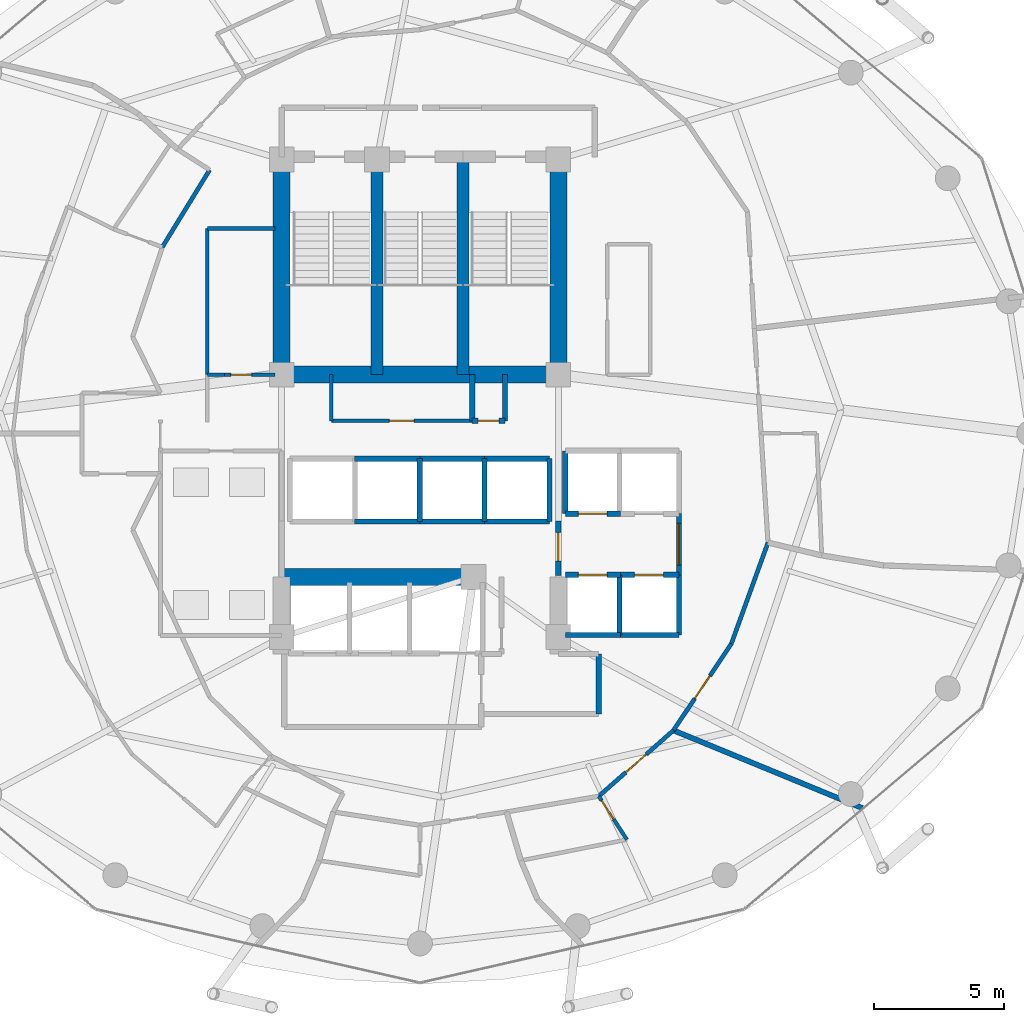
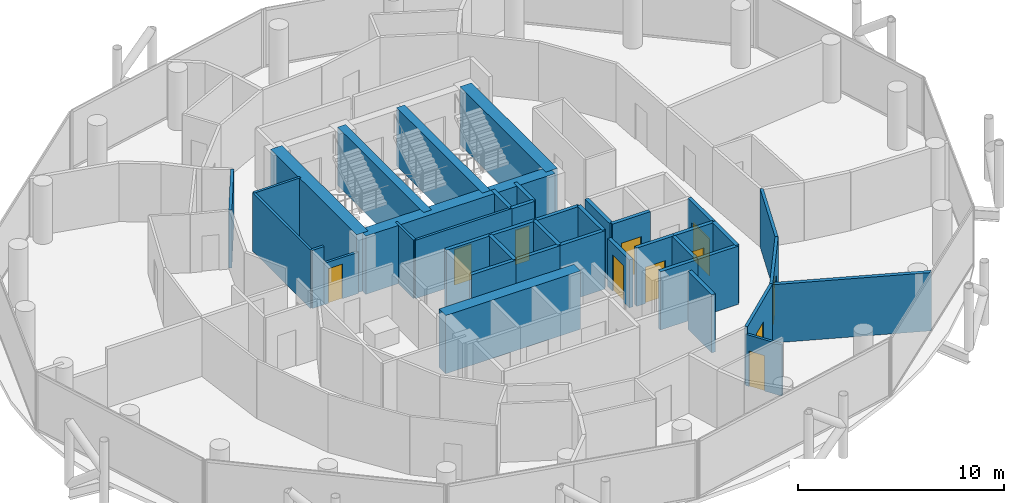
# One storey, part 23 of 26: 41 walls, 11 doors, 11 openings.
"""IFC4 building model written with IfcOpenShell, lengths in metres."""

from ifc_helpers import new_model, si_unit, direction, frame, frame_2d, origin, place, context, subcontext, project, spatial, rectangle, extrude, material, layer, layer_set, type_object, element, fill, save


model = new_model("IFC4")

# Units and contexts
model_context = context("Model", 3, precision=1e-05, world=origin(), true_north=direction((0.0, 1.0)))
body_context = subcontext(model_context, "Body", "Model", "MODEL_VIEW")
ifc_project = project(units=[si_unit("LENGTHUNIT", "METRE"), si_unit("AREAUNIT", "SQUARE_METRE"), si_unit("VOLUMEUNIT", "CUBIC_METRE"), si_unit("PLANEANGLEUNIT", "RADIAN"), si_unit("MASSUNIT", "GRAM", prefix="KILO")], contexts=[model_context])

# Site, building, storey
site_placement = place(None, origin())
site = spatial("IfcSite", under=ifc_project, at=site_placement, CompositionType="ELEMENT")
building_placement = place(site_placement, origin())
building = spatial("IfcBuilding", under=site, at=building_placement, Name="Nuhasar Tower", CompositionType="ELEMENT")
storey_placement = place(building_placement, frame((0.0, 0.0, 118.25)))
storey = spatial("IfcBuildingStorey", under=building, at=storey_placement, Name="L27", CompositionType="ELEMENT", Elevation=118.25)

# Walls
ifc_material_1 = material(Name="Concrete C50/60", Category="concrete")
ifc_layer_1 = layer(ifc_material_1, 0.449951171875)
ifc_layer_set_1 = layer_set([ifc_layer_1], Name="Concrete C50/60")
wall_type_1 = type_object("IfcWallType", Name="WL-CORE-450", PredefinedType="SHEAR", material=ifc_layer_set_1)
for number, where, z_axis, x_axis, name in (
    (1, (37.35009765625, 29.050048828125, 0.0), (0.0, 0.0, 1.0), (0.0, 1.0, 0.0), "L27 Stairwell Shear Wall ST01-E"),
    (2, (40.64990234375, 29.050048828125, 0.0), (0.0, 0.0, 1.0), (0.0, 1.0, 0.0), "L27 Stairwell Shear Wall ST03-E"),
):
    element("IfcWall", number, at=place(storey_placement, frame(where, z_axis=z_axis, x_axis=x_axis)), inside=storey, type_object=wall_type_1, Name=name, PredefinedType="SHEAR", context=body_context, shape_type="SweptSolid", body=[
        extrude(rectangle(XDim=8.349853515625, YDim=0.449951171875, at=frame_2d((4.1748046875, 0.0))), origin(), (0.0, 0.0, 1.0), 3.449951171875),
    ])
ifc_material_2 = material(Name="Concrete C65/80", Category="concrete")
ifc_layer_2 = layer(ifc_material_2, 0.64990234375)
ifc_layer_set_2 = layer_set([ifc_layer_2], Name="Concrete C65/80")
wall_type_2 = type_object("IfcWallType", Name="WL-CORE-650", PredefinedType="SHEAR", material=ifc_layer_set_2)
for number, where, z_axis, x_axis, name in (
    (3, (33.699951171875, 29.050048828125, 0.0), (0.0, 0.0, 1.0), (0.0, 1.0, 0.0), "L27 Core Shear Wall CW-NW CW-650"),
    (4, (44.300048828125, 29.050048828125, 0.0), (0.0, 0.0, 1.0), (0.0, 1.0, 0.0), "L27 Core Shear Wall CW-NE CW-650"),
):
    element("IfcWall", number, at=place(storey_placement, frame(where, z_axis=z_axis, x_axis=x_axis)), inside=storey, type_object=wall_type_2, Name=name, PredefinedType="SHEAR", context=body_context, shape_type="SweptSolid", body=[
        extrude(rectangle(XDim=8.349853515625, YDim=0.64990234375, at=frame_2d((4.1748046875, 0.0))), origin(), (0.0, 0.0, 1.0), 3.449951171875),
    ])
wall_1_placement = place(storey_placement, frame((33.699951171875, 29.050048828125, 0.0), z_axis=(0.0, 0.0, 1.0), x_axis=(1.0, 0.0, 0.0)))
element("IfcWall", 5, at=wall_1_placement, inside=storey, type_object=wall_type_2, Name="L27 Core Shear Wall CW-N1 CW-650", PredefinedType="SHEAR", context=body_context, shape_type="SweptSolid", body=[
    extrude(rectangle(XDim=10.60009765625, YDim=0.64990234375, at=frame_2d((5.300048828125, 0.0))), origin(), (0.0, 0.0, 1.0), 3.449951171875),
])
wall_2_placement = place(storey_placement, frame((33.699951171875, 21.300048828125, 0.0), z_axis=(0.0, 0.0, 1.0), x_axis=(1.0, 0.0, 0.0)))
element("IfcWall", 6, at=wall_2_placement, inside=storey, type_object=wall_type_2, Name="L27 Core Shear Wall CW-S1 CW-650", PredefinedType="SHEAR", context=body_context, shape_type="SweptSolid", body=[
    extrude(rectangle(XDim=7.550048828125, YDim=0.64990234375, at=frame_2d((3.77490234375, 0.0))), origin(), (0.0, 0.0, 1.0), 3.449951171875),
])

# Wall, opening, door
ifc_material_3 = material(Name="Gypsum Board", Category="gypsum")
ifc_layer_3 = layer(ifc_material_3, 0.159912109375)
ifc_layer_set_3 = layer_set([ifc_layer_3], Name="Gypsum Board")
wall_type_3 = type_object("IfcWallType", Name="WL-CORR-160", PredefinedType="PARTITIONING", material=ifc_layer_set_3)
wall_3_placement = place(storey_placement, frame((48.714111328125, 15.41796875, 0.0), z_axis=(0.0, 0.0, 1.0), x_axis=(-0.75014962781, -0.661268127083, 0.0)))
wall_3 = element("IfcWall", 7, at=wall_3_placement, inside=storey, type_object=wall_type_3, Name="L27 Interior Partition CORR-40", PredefinedType="PARTITIONING", context=body_context, shape_type="SweptSolid", body=[
    extrude(rectangle(XDim=3.8154296875, YDim=0.159912109375, at=frame_2d((1.90771484375, 0.0))), origin(), (0.0, 0.0, 1.0), 3.449951171875),
])
opening_1_placement = place(wall_3_placement, frame((1.383056640625, 0.0, 0.0)))
opening_1 = element("IfcOpeningElement", 8, at=opening_1_placement, cuts=wall_3, Name="Opening DU-01", PredefinedType="OPENING", context=body_context, shape_type="SweptSolid", body=[
    extrude(rectangle(XDim=1.050048828125, YDim=2.14990234375, at=frame_2d((0.52490234375, 1.074951171875))), frame((0.0, 0.08984375, 0.0), z_axis=(0.0, -1.0, 0.0), x_axis=(1.0, 0.0, 0.0)), (0.0, 0.0, 1.0), 0.179931640625),
])
ifc_material_4 = material(Name="Timber Oak", Category="wood")
door_type_1 = type_object("IfcDoorType", Name="DR-SUITE-FD60-1050", OperationType="NOTDEFINED", PredefinedType="DOOR", material=ifc_material_4)
door_1_placement = place(opening_1_placement, origin())
door_1 = element("IfcDoor", 9, at=door_1_placement, inside=storey, type_object=door_type_1, Name="L27 Deluxe Junior Suite 02 Entrance Door", OperationType="SINGLE_SWING_LEFT", OverallHeight=2.14990234375, OverallWidth=1.050048828125, PredefinedType="DOOR", context=body_context, shape_type="SweptSolid", body=[
    extrude(rectangle(XDim=1.050048828125, YDim=2.14990234375, at=frame_2d((0.52490234375, 1.074951171875))), frame((0.0, 0.02490234375, 0.0), z_axis=(0.0, -1.0, 0.0), x_axis=(1.0, 0.0, 0.0)), (0.0, 0.0, 1.0), 0.050048828125),
])
fill(opening_1, door_1)

wall_4_placement = place(storey_placement, frame((50.929931640625, 18.72998046875, 0.0), z_axis=(0.0, 0.0, 1.0), x_axis=(-0.556056751682, -0.831144324958, 0.0)))
wall_4 = element("IfcWall", 10, at=wall_4_placement, inside=storey, type_object=wall_type_3, Name="L27 Interior Partition CORR-42", PredefinedType="PARTITIONING", context=body_context, shape_type="SweptSolid", body=[
    extrude(rectangle(XDim=3.98486328125, YDim=0.159912109375, at=frame_2d((1.992431640625, 0.0))), origin(), (0.0, 0.0, 1.0), 3.449951171875),
])
opening_2_placement = place(wall_4_placement, frame((1.467041015625, 0.0, 0.0)))
opening_2 = element("IfcOpeningElement", 11, at=opening_2_placement, cuts=wall_4, Name="Opening DU-01", PredefinedType="OPENING", context=body_context, shape_type="SweptSolid", body=[
    extrude(rectangle(XDim=1.050048828125, YDim=2.14990234375, at=frame_2d((0.52490234375, 1.074951171875))), frame((0.0, 0.08984375, 0.0), z_axis=(0.0, -1.0, 0.0), x_axis=(1.0, 0.0, 0.0)), (0.0, 0.0, 1.0), 0.179931640625),
])
door_2_placement = place(opening_2_placement, origin())
door_2 = element("IfcDoor", 12, at=door_2_placement, inside=storey, type_object=door_type_1, Name="L27 Concierge Study Office Entrance Door", OperationType="SINGLE_SWING_RIGHT", OverallHeight=2.14990234375, OverallWidth=1.050048828125, PredefinedType="DOOR", context=body_context, shape_type="SweptSolid", body=[
    extrude(rectangle(XDim=1.050048828125, YDim=2.14990234375, at=frame_2d((0.52490234375, 1.074951171875))), frame((0.0, 0.02490234375, 0.0), z_axis=(0.0, -1.0, 0.0), x_axis=(1.0, 0.0, 0.0)), (0.0, 0.0, 1.0), 0.050048828125),
])
fill(opening_2, door_2)

# Walls
wall_5_placement = place(storey_placement, frame((50.929931640625, 18.72998046875, 0.0), z_axis=(0.0, 0.0, 1.0), x_axis=(0.34058972089, 0.940212019719, 0.0)))
element("IfcWall", 13, at=wall_5_placement, inside=storey, type_object=wall_type_3, Name="L27 Interior Partition CORR-44", PredefinedType="PARTITIONING", context=body_context, shape_type="SweptSolid", body=[
    extrude(rectangle(XDim=4.131103515625, YDim=0.159912109375, at=frame_2d((2.0654296875, 0.0))), origin(), (0.0, 0.0, 1.0), 3.449951171875),
])
wall_6_placement = place(storey_placement, frame((30.93896484375, 36.89697265625, 0.0), z_axis=(0.0, 0.0, 1.0), x_axis=(-0.522486120877, -0.852647789823, 0.0)))
element("IfcWall", 14, at=wall_6_placement, inside=storey, type_object=wall_type_3, Name="L27 Interior Partition HWEST-CORE-N-18", PredefinedType="PARTITIONING", context=body_context, shape_type="SweptSolid", body=[
    extrude(rectangle(XDim=3.468017578125, YDim=0.159912109375, at=frame_2d((1.73388671875, 0.0))), origin(), (0.0, 0.0, 1.0), 3.449951171875),
])

# Wall, opening, door
ifc_material_5 = material(Name="Concrete C45/55", Category="concrete")
ifc_layer_4 = layer(ifc_material_5, 0.199951171875)
ifc_layer_set_4 = layer_set([ifc_layer_4], Name="Concrete C45/55")
wall_type_4 = type_object("IfcWallType", Name="WL-LOBBY-200", PredefinedType="SOLIDWALL", material=ifc_layer_set_4)
wall_7_placement = place(storey_placement, frame((48.929931640625, 21.3798828125, 0.0), z_axis=(0.0, 0.0, 1.0), x_axis=(0.0, 1.0, 0.0)))
wall_7 = element("IfcWall", 15, at=wall_7_placement, inside=storey, type_object=wall_type_4, Name="L27 Interior Partition LLBM-E", PredefinedType="SOLIDWALL", context=body_context, shape_type="SweptSolid", body=[
    extrude(rectangle(XDim=2.340087890625, YDim=0.199951171875, at=frame_2d((1.169921875, 0.0))), origin(), (0.0, 0.0, 1.0), 3.449951171875),
])
opening_3_placement = place(wall_7_placement, frame((0.3701171875, 0.0, 0.0)))
opening_3 = element("IfcOpeningElement", 16, at=opening_3_placement, cuts=wall_7, Name="Opening DC-01", PredefinedType="OPENING", context=body_context, shape_type="SweptSolid", body=[
    extrude(rectangle(XDim=1.60009765625, YDim=2.199951171875, at=frame_2d((0.800048828125, 1.10009765625))), frame((0.0, 0.10986328125, 0.0), z_axis=(0.0, -1.0, 0.0), x_axis=(1.0, 0.0, 0.0)), (0.0, 0.0, 1.0), 0.219970703125),
])
ifc_material_6 = material(Name="Steel S355", Category="steel")
door_type_2 = type_object("IfcDoorType", Name="DR-CORR-FD60-1600", OperationType="DOUBLE_DOOR_SINGLE_SWING", PredefinedType="DOOR", material=ifc_material_6)
door_3_placement = place(opening_3_placement, origin())
door_3 = element("IfcDoor", 17, at=door_3_placement, inside=storey, type_object=door_type_2, Name="L27 Mid-Rise Lift Lobby East Entry", OperationType="DOUBLE_DOOR_SINGLE_SWING", OverallHeight=2.199951171875, OverallWidth=1.60009765625, PredefinedType="DOOR", context=body_context, shape_type="SweptSolid", body=[
    extrude(rectangle(XDim=1.60009765625, YDim=2.199951171875, at=frame_2d((0.800048828125, 1.10009765625))), frame((0.0, 0.02490234375, 0.0), z_axis=(0.0, -1.0, 0.0), x_axis=(1.0, 0.0, 0.0)), (0.0, 0.0, 1.0), 0.050048828125),
])
fill(opening_3, door_3)

wall_8_placement = place(storey_placement, frame((44.300048828125, 21.35009765625, 0.0), z_axis=(0.0, 0.0, 1.0), x_axis=(0.0, 1.0, 0.0)))
wall_8 = element("IfcWall", 18, at=wall_8_placement, inside=storey, type_object=wall_type_4, Name="L27 Interior Partition LLBH-E", PredefinedType="SOLIDWALL", context=body_context, shape_type="SweptSolid", body=[
    extrude(rectangle(XDim=2.099853515625, YDim=0.199951171875, at=frame_2d((1.0498046875, 0.0))), origin(), (0.0, 0.0, 1.0), 2.8349609375),
])
opening_4_placement = place(wall_8_placement, frame((0.550048828125, 0.0, 0.0)))
opening_4 = element("IfcOpeningElement", 19, at=opening_4_placement, cuts=wall_8, Name="Opening DS-02", PredefinedType="OPENING", context=body_context, shape_type="SweptSolid", body=[
    extrude(rectangle(XDim=1.10009765625, YDim=2.14990234375, at=frame_2d((0.550048828125, 1.074951171875))), frame((0.0, 0.10986328125, 0.0), z_axis=(0.0, -1.0, 0.0), x_axis=(1.0, 0.0, 0.0)), (0.0, 0.0, 1.0), 0.219970703125),
])
door_type_3 = type_object("IfcDoorType", Name="DR-FFL-FD120-1100", OperationType="NOTDEFINED", PredefinedType="DOOR", material=ifc_material_6)
door_4_placement = place(opening_4_placement, origin())
door_4 = element("IfcDoor", 20, at=door_4_placement, inside=storey, type_object=door_type_3, Name="L27 High-Rise Lobby East Door", OperationType="SINGLE_SWING_RIGHT", OverallHeight=2.14990234375, OverallWidth=1.10009765625, PredefinedType="DOOR", context=body_context, shape_type="SweptSolid", body=[
    extrude(rectangle(XDim=1.10009765625, YDim=2.14990234375, at=frame_2d((0.550048828125, 1.074951171875))), frame((0.0, 0.02490234375, 0.0), z_axis=(0.0, -1.0, 0.0), x_axis=(1.0, 0.0, 0.0)), (0.0, 0.0, 1.0), 0.050048828125),
])
fill(opening_4, door_4)

# Walls
wall_9_placement = place(storey_placement, frame((45.85009765625, 16.050048828125, 0.0), z_axis=(0.0, 0.0, 1.0), x_axis=(0.0, 1.0, 0.0)))
element("IfcWall", 21, at=wall_9_placement, inside=storey, type_object=wall_type_4, Name="L27 Interior Partition SVLV-E", PredefinedType="SOLIDWALL", context=body_context, shape_type="SweptSolid", body=[
    extrude(rectangle(XDim=2.300048828125, YDim=0.199951171875, at=frame_2d((1.14990234375, 0.0))), origin(), (0.0, 0.0, 1.0), 3.449951171875),
])
ifc_layer_5 = layer(ifc_material_5, 0.199951171875)
ifc_layer_set_5 = layer_set([ifc_layer_5], Name="Concrete C45/55")
wall_type_5 = type_object("IfcWallType", Name="WL-SHAFT-200", PredefinedType="SOLIDWALL", material=ifc_layer_set_5)
for number, where, z_axis, x_axis, name in (
    (22, (41.0, 27.280029296875, 0.0), (0.0, 0.0, 1.0), (0.0, 1.0, 0.0), "L27 Interior Partition RSRN-W"),
    (23, (42.260009765625, 27.280029296875, 0.0), (0.0, 0.0, 1.0), (0.0, 1.0, 0.0), "L27 Interior Partition RSRN-E"),
):
    element("IfcWall", number, at=place(storey_placement, frame(where, z_axis=z_axis, x_axis=x_axis)), inside=storey, type_object=wall_type_5, Name=name, PredefinedType="SOLIDWALL", context=body_context, shape_type="SweptSolid", body=[
        extrude(rectangle(XDim=1.77001953125, YDim=0.199951171875, at=frame_2d((0.885009765625, 0.0))), origin(), (0.0, 0.0, 1.0), 3.449951171875),
    ])

# Wall, opening, door
wall_10_placement = place(storey_placement, frame((41.0, 27.280029296875, 0.0), z_axis=(0.0, 0.0, 1.0), x_axis=(1.0, 0.0, 0.0)))
wall_10 = element("IfcWall", 24, at=wall_10_placement, inside=storey, type_object=wall_type_5, Name="L27 Interior Partition RSRN-S", PredefinedType="SOLIDWALL", context=body_context, shape_type="SweptSolid", body=[
    extrude(rectangle(XDim=1.260009765625, YDim=0.199951171875, at=frame_2d((0.6298828125, 0.0))), origin(), (0.0, 0.0, 1.0), 3.449951171875),
])
opening_5_placement = place(wall_10_placement, frame((0.22998046875, 0.0, 0.0)))
opening_5 = element("IfcOpeningElement", 25, at=opening_5_placement, cuts=wall_10, Name="Opening DM-01", PredefinedType="OPENING", context=body_context, shape_type="SweptSolid", body=[
    extrude(rectangle(XDim=0.800048828125, YDim=2.050048828125, at=frame_2d((0.39990234375, 1.02490234375))), frame((0.0, 0.10986328125, 0.0), z_axis=(0.0, -1.0, 0.0), x_axis=(1.0, 0.0, 0.0)), (0.0, 0.0, 1.0), 0.219970703125),
])
door_type_4 = type_object("IfcDoorType", Name="DR-RISER-FD60-800", OperationType="NOTDEFINED", PredefinedType="DOOR", material=ifc_material_6)
door_5_placement = place(opening_5_placement, origin())
door_5 = element("IfcDoor", 26, at=door_5_placement, inside=storey, type_object=door_type_4, Name="L27 North Smoke Riser Door", OperationType="SINGLE_SWING_RIGHT", OverallHeight=2.050048828125, OverallWidth=0.800048828125, PredefinedType="DOOR", context=body_context, shape_type="SweptSolid", body=[
    extrude(rectangle(XDim=0.800048828125, YDim=2.050048828125, at=frame_2d((0.39990234375, 1.02490234375))), frame((0.0, 0.02490234375, 0.0), z_axis=(0.0, -1.0, 0.0), x_axis=(1.0, 0.0, 0.0)), (0.0, 0.0, 1.0), 0.050048828125),
])
fill(opening_5, door_5)

wall_11_placement = place(storey_placement, frame((44.570068359375, 23.719970703125, 0.0), z_axis=(0.0, 0.0, 1.0), x_axis=(1.0, 0.0, 0.0)))
wall_11 = element("IfcWall", 27, at=wall_11_placement, inside=storey, type_object=wall_type_5, Name="L27 Interior Partition SHF-PL-M01-S", PredefinedType="SOLIDWALL", context=body_context, shape_type="SweptSolid", body=[
    extrude(rectangle(XDim=2.10986328125, YDim=0.199951171875, at=frame_2d((1.054931640625, 0.0))), origin(), (0.0, 0.0, 1.0), 3.449951171875),
])
opening_6_placement = place(wall_11_placement, frame((0.5048828125, 0.0, 0.0)))
opening_6 = element("IfcOpeningElement", 28, at=opening_6_placement, cuts=wall_11, Name="Opening LD-M01", PredefinedType="OPENING", context=body_context, shape_type="SweptSolid", body=[
    extrude(rectangle(XDim=1.10009765625, YDim=2.14990234375, at=frame_2d((0.550048828125, 1.074951171875))), frame((0.0, 0.10986328125, 0.0), z_axis=(0.0, -1.0, 0.0), x_axis=(1.0, 0.0, 0.0)), (0.0, 0.0, 1.0), 0.219970703125),
])
ifc_material_7 = material(Name="Stainless Steel 316L", Category="steel")
door_type_5 = type_object("IfcDoorType", Name="LD-PAX-1100", OperationType="DOUBLE_DOOR_SLIDING", PredefinedType="DOOR", material=ifc_material_7)
door_6_placement = place(opening_6_placement, origin())
door_6 = element("IfcDoor", 29, at=door_6_placement, inside=storey, type_object=door_type_5, Name="L27 Lift Landing Door PL-M01", OperationType="DOUBLE_DOOR_SLIDING", OverallHeight=2.14990234375, OverallWidth=1.10009765625, PredefinedType="DOOR", context=body_context, shape_type="SweptSolid", body=[
    extrude(rectangle(XDim=1.10009765625, YDim=2.14990234375, at=frame_2d((0.550048828125, 1.074951171875))), frame((0.0, 0.02490234375, 0.0), z_axis=(0.0, -1.0, 0.0), x_axis=(1.0, 0.0, 0.0)), (0.0, 0.0, 1.0), 0.050048828125),
])
fill(opening_6, door_6)

# Walls
wall_12_placement = place(storey_placement, frame((44.570068359375, 23.719970703125, 0.0), z_axis=(0.0, 0.0, 1.0), x_axis=(0.0, 1.0, 0.0)))
element("IfcWall", 30, at=wall_12_placement, inside=storey, type_object=wall_type_5, Name="L27 Interior Partition SHF-PL-M01-W", PredefinedType="SOLIDWALL", context=body_context, shape_type="SweptSolid", body=[
    extrude(rectangle(XDim=2.409912109375, YDim=0.199951171875, at=frame_2d((1.205078125, 0.0))), origin(), (0.0, 0.0, 1.0), 3.449951171875),
])
wall_13_placement = place(storey_placement, frame((44.570068359375, 19.070068359375, 0.0), z_axis=(0.0, 0.0, 1.0), x_axis=(1.0, 0.0, 0.0)))
element("IfcWall", 31, at=wall_13_placement, inside=storey, type_object=wall_type_5, Name="L27 Interior Partition SHF-PL-M03-S", PredefinedType="SOLIDWALL", context=body_context, shape_type="SweptSolid", body=[
    extrude(rectangle(XDim=2.10986328125, YDim=0.199951171875, at=frame_2d((1.054931640625, 0.0))), origin(), (0.0, 0.0, 1.0), 3.449951171875),
])

# Wall, opening, door
wall_14_placement = place(storey_placement, frame((44.570068359375, 21.3798828125, 0.0), z_axis=(0.0, 0.0, 1.0), x_axis=(1.0, 0.0, 0.0)))
wall_14 = element("IfcWall", 32, at=wall_14_placement, inside=storey, type_object=wall_type_5, Name="L27 Interior Partition SHF-PL-M03-N", PredefinedType="SOLIDWALL", context=body_context, shape_type="SweptSolid", body=[
    extrude(rectangle(XDim=2.10986328125, YDim=0.199951171875, at=frame_2d((1.054931640625, 0.0))), origin(), (0.0, 0.0, 1.0), 3.449951171875),
])
opening_7_placement = place(wall_14_placement, frame((0.5048828125, 0.0, 0.0)))
opening_7 = element("IfcOpeningElement", 33, at=opening_7_placement, cuts=wall_14, Name="Opening LD-M03", PredefinedType="OPENING", context=body_context, shape_type="SweptSolid", body=[
    extrude(rectangle(XDim=1.10009765625, YDim=2.14990234375, at=frame_2d((0.550048828125, 1.074951171875))), frame((0.0, 0.10986328125, 0.0), z_axis=(0.0, -1.0, 0.0), x_axis=(1.0, 0.0, 0.0)), (0.0, 0.0, 1.0), 0.219970703125),
])
door_7_placement = place(opening_7_placement, origin())
door_7 = element("IfcDoor", 34, at=door_7_placement, inside=storey, type_object=door_type_5, Name="L27 Lift Landing Door PL-M03", OperationType="DOUBLE_DOOR_SLIDING", OverallHeight=2.14990234375, OverallWidth=1.10009765625, PredefinedType="DOOR", context=body_context, shape_type="SweptSolid", body=[
    extrude(rectangle(XDim=1.10009765625, YDim=2.14990234375, at=frame_2d((0.550048828125, 1.074951171875))), frame((0.0, 0.02490234375, 0.0), z_axis=(0.0, -1.0, 0.0), x_axis=(1.0, 0.0, 0.0)), (0.0, 0.0, 1.0), 0.050048828125),
])
fill(opening_7, door_7)

# Walls
for number, where, z_axis, x_axis, name in (
    (35, (46.64990234375, 19.070068359375, 0.0), (0.0, 0.0, 1.0), (0.0, 1.0, 0.0), "L27 Interior Partition SHF-PL-M03-E"),
    (36, (46.6201171875, 19.070068359375, 0.0), (0.0, 0.0, 1.0), (1.0, 0.0, 0.0), "L27 Interior Partition SHF-PL-M04-S"),
):
    element("IfcWall", number, at=place(storey_placement, frame(where, z_axis=z_axis, x_axis=x_axis)), inside=storey, type_object=wall_type_5, Name=name, PredefinedType="SOLIDWALL", context=body_context, shape_type="SweptSolid", body=[
        extrude(rectangle(XDim=2.309814453125, YDim=0.199951171875, at=frame_2d((1.15478515625, 0.0))), origin(), (0.0, 0.0, 1.0), 3.449951171875),
    ])

# Wall, opening, door
wall_15_placement = place(storey_placement, frame((46.6201171875, 21.3798828125, 0.0), z_axis=(0.0, 0.0, 1.0), x_axis=(1.0, 0.0, 0.0)))
wall_15 = element("IfcWall", 37, at=wall_15_placement, inside=storey, type_object=wall_type_5, Name="L27 Interior Partition SHF-PL-M04-N", PredefinedType="SOLIDWALL", context=body_context, shape_type="SweptSolid", body=[
    extrude(rectangle(XDim=2.309814453125, YDim=0.199951171875, at=frame_2d((1.15478515625, 0.0))), origin(), (0.0, 0.0, 1.0), 3.449951171875),
])
opening_8_placement = place(wall_15_placement, frame((0.60498046875, 0.0, 0.0)))
opening_8 = element("IfcOpeningElement", 38, at=opening_8_placement, cuts=wall_15, Name="Opening LD-M04", PredefinedType="OPENING", context=body_context, shape_type="SweptSolid", body=[
    extrude(rectangle(XDim=1.10009765625, YDim=2.14990234375, at=frame_2d((0.550048828125, 1.074951171875))), frame((0.0, 0.10986328125, 0.0), z_axis=(0.0, -1.0, 0.0), x_axis=(1.0, 0.0, 0.0)), (0.0, 0.0, 1.0), 0.219970703125),
])
door_8_placement = place(opening_8_placement, origin())
door_8 = element("IfcDoor", 39, at=door_8_placement, inside=storey, type_object=door_type_5, Name="L27 Lift Landing Door PL-M04", OperationType="DOUBLE_DOOR_SLIDING", OverallHeight=2.14990234375, OverallWidth=1.10009765625, PredefinedType="DOOR", context=body_context, shape_type="SweptSolid", body=[
    extrude(rectangle(XDim=1.10009765625, YDim=2.14990234375, at=frame_2d((0.550048828125, 1.074951171875))), frame((0.0, 0.02490234375, 0.0), z_axis=(0.0, -1.0, 0.0), x_axis=(1.0, 0.0, 0.0)), (0.0, 0.0, 1.0), 0.050048828125),
])
fill(opening_8, door_8)

# Walls
wall_16_placement = place(storey_placement, frame((48.929931640625, 19.070068359375, 0.0), z_axis=(0.0, 0.0, 1.0), x_axis=(0.0, 1.0, 0.0)))
element("IfcWall", 40, at=wall_16_placement, inside=storey, type_object=wall_type_5, Name="L27 Interior Partition SHF-PL-M04-E", PredefinedType="SOLIDWALL", context=body_context, shape_type="SweptSolid", body=[
    extrude(rectangle(XDim=2.309814453125, YDim=0.199951171875, at=frame_2d((1.15478515625, 0.0))), origin(), (0.0, 0.0, 1.0), 3.449951171875),
])
for number, where, z_axis, x_axis, name in (
    (41, (36.5, 23.419921875, 0.0), (0.0, 0.0, 1.0), (1.0, 0.0, 0.0), "L27 Interior Partition SHF-PL-H02-S"),
    (42, (36.5, 25.830078125, 0.0), (0.0, 0.0, 1.0), (1.0, 0.0, 0.0), "L27 Interior Partition SHF-PL-H02-N"),
):
    element("IfcWall", number, at=place(storey_placement, frame(where, z_axis=z_axis, x_axis=x_axis)), inside=storey, type_object=wall_type_5, Name=name, PredefinedType="SOLIDWALL", context=body_context, shape_type="SweptSolid", body=[
        extrude(rectangle(XDim=2.5, YDim=0.199951171875, at=frame_2d((1.25, 0.0))), origin(), (0.0, 0.0, 1.0), 3.449951171875),
    ])
wall_17_placement = place(storey_placement, frame((38.989990234375, 23.419921875, 0.0), z_axis=(0.0, 0.0, 1.0), x_axis=(0.0, 1.0, 0.0)))
element("IfcWall", 43, at=wall_17_placement, inside=storey, type_object=wall_type_5, Name="L27 Interior Partition SHF-PL-H02-E", PredefinedType="SOLIDWALL", context=body_context, shape_type="SweptSolid", body=[
    extrude(rectangle(XDim=2.41015625, YDim=0.199951171875, at=frame_2d((1.205078125, 0.0))), origin(), (0.0, 0.0, 1.0), 3.449951171875),
])
for number, where, z_axis, x_axis, name in (
    (44, (38.97998046875, 23.419921875, 0.0), (0.0, 0.0, 1.0), (1.0, 0.0, 0.0), "L27 Interior Partition SHF-PL-H03-S"),
    (45, (38.97998046875, 25.830078125, 0.0), (0.0, 0.0, 1.0), (1.0, 0.0, 0.0), "L27 Interior Partition SHF-PL-H03-N"),
):
    element("IfcWall", number, at=place(storey_placement, frame(where, z_axis=z_axis, x_axis=x_axis)), inside=storey, type_object=wall_type_5, Name=name, PredefinedType="SOLIDWALL", context=body_context, shape_type="SweptSolid", body=[
        extrude(rectangle(XDim=2.5, YDim=0.199951171875, at=frame_2d((1.25, 0.0))), origin(), (0.0, 0.0, 1.0), 3.449951171875),
    ])
wall_18_placement = place(storey_placement, frame((41.469970703125, 23.419921875, 0.0), z_axis=(0.0, 0.0, 1.0), x_axis=(0.0, 1.0, 0.0)))
element("IfcWall", 46, at=wall_18_placement, inside=storey, type_object=wall_type_5, Name="L27 Interior Partition SHF-PL-H03-E", PredefinedType="SOLIDWALL", context=body_context, shape_type="SweptSolid", body=[
    extrude(rectangle(XDim=2.41015625, YDim=0.199951171875, at=frame_2d((1.205078125, 0.0))), origin(), (0.0, 0.0, 1.0), 3.449951171875),
])
for number, where, z_axis, x_axis, name in (
    (47, (41.4599609375, 23.419921875, 0.0), (0.0, 0.0, 1.0), (1.0, 0.0, 0.0), "L27 Interior Partition SHF-PL-H04-S"),
    (48, (41.4599609375, 25.830078125, 0.0), (0.0, 0.0, 1.0), (1.0, 0.0, 0.0), "L27 Interior Partition SHF-PL-H04-N"),
):
    element("IfcWall", number, at=place(storey_placement, frame(where, z_axis=z_axis, x_axis=x_axis)), inside=storey, type_object=wall_type_5, Name=name, PredefinedType="SOLIDWALL", context=body_context, shape_type="SweptSolid", body=[
        extrude(rectangle(XDim=2.5, YDim=0.199951171875, at=frame_2d((1.25, 0.0))), origin(), (0.0, 0.0, 1.0), 3.449951171875),
    ])
wall_19_placement = place(storey_placement, frame((43.9599609375, 23.419921875, 0.0), z_axis=(0.0, 0.0, 1.0), x_axis=(0.0, 1.0, 0.0)))
element("IfcWall", 49, at=wall_19_placement, inside=storey, type_object=wall_type_5, Name="L27 Interior Partition SHF-PL-H04-E", PredefinedType="SOLIDWALL", context=body_context, shape_type="SweptSolid", body=[
    extrude(rectangle(XDim=2.41015625, YDim=0.199951171875, at=frame_2d((1.205078125, 0.0))), origin(), (0.0, 0.0, 1.0), 3.449951171875),
])
ifc_material_8 = material(Name="Concrete C40/50 precast", Category="concrete")
ifc_layer_6 = layer(ifc_material_8, 0.199951171875)
ifc_layer_set_6 = layer_set([ifc_layer_6], Name="Concrete C40/50 precast")
wall_type_6 = type_object("IfcWallType", Name="WL-UNIT-200", PredefinedType="PARTITIONING", material=ifc_layer_set_6)
wall_20_placement = place(storey_placement, frame((48.714111328125, 15.41796875, 0.0), z_axis=(0.0, 0.0, 1.0), x_axis=(0.924811697955, -0.380425187555, 0.0)))
element("IfcWall", 50, at=wall_20_placement, inside=storey, type_object=wall_type_6, Name="L27 Interior Partition HRAD-42", PredefinedType="PARTITIONING", context=body_context, shape_type="SweptSolid", body=[
    extrude(rectangle(XDim=7.830810546875, YDim=0.199951171875, at=frame_2d((3.91552734375, 0.0))), origin(), (0.0, 0.0, 1.0), 3.449951171875),
])
ifc_layer_7 = layer(ifc_material_8, 0.139892578125)
ifc_layer_set_7 = layer_set([ifc_layer_7], Name="Concrete C40/50 precast")
wall_type_7 = type_object("IfcWallType", Name="WL-WET-140", PredefinedType="PARTITIONING", material=ifc_layer_set_7)
wall_21_placement = place(storey_placement, frame((35.60009765625, 27.280029296875, 0.0), z_axis=(0.0, 0.0, 1.0), x_axis=(0.0, 1.0, 0.0)))
element("IfcWall", 51, at=wall_21_placement, inside=storey, type_object=wall_type_7, Name="L27 Interior Partition CSVC-W", PredefinedType="PARTITIONING", context=body_context, shape_type="SweptSolid", body=[
    extrude(rectangle(XDim=1.77001953125, YDim=0.139892578125, at=frame_2d((0.885009765625, 0.0))), origin(), (0.0, 0.0, 1.0), 3.449951171875),
])

# Wall, opening, door
wall_22_placement = place(storey_placement, frame((35.60009765625, 27.280029296875, 0.0), z_axis=(0.0, 0.0, 1.0), x_axis=(1.0, 0.0, 0.0)))
wall_22 = element("IfcWall", 52, at=wall_22_placement, inside=storey, type_object=wall_type_7, Name="L27 Interior Partition CSVC-S", PredefinedType="PARTITIONING", context=body_context, shape_type="SweptSolid", body=[
    extrude(rectangle(XDim=5.39990234375, YDim=0.139892578125, at=frame_2d((2.699951171875, 0.0))), origin(), (0.0, 0.0, 1.0), 3.449951171875),
])
opening_9_placement = place(wall_22_placement, frame((2.22509765625, 0.0, 0.0)))
opening_9 = element("IfcOpeningElement", 53, at=opening_9_placement, cuts=wall_22, Name="Opening DA-01", PredefinedType="OPENING", context=body_context, shape_type="SweptSolid", body=[
    extrude(rectangle(XDim=0.949951171875, YDim=2.10009765625, at=frame_2d((0.47509765625, 1.050048828125))), frame((0.0, 0.080078125, 0.0), z_axis=(0.0, -1.0, 0.0), x_axis=(1.0, 0.0, 0.0)), (0.0, 0.0, 1.0), 0.159912109375),
])
door_type_6 = type_object("IfcDoorType", Name="DR-ACCWC-950", OperationType="NOTDEFINED", PredefinedType="DOOR", material=ifc_material_4)
door_9_placement = place(opening_9_placement, origin())
door_9 = element("IfcDoor", 54, at=door_9_placement, inside=storey, type_object=door_type_6, Name="L27 Core Accessible Restroom Door", OperationType="SINGLE_SWING_LEFT", OverallHeight=2.10009765625, OverallWidth=0.949951171875, PredefinedType="DOOR", context=body_context, shape_type="SweptSolid", body=[
    extrude(rectangle(XDim=0.949951171875, YDim=2.10009765625, at=frame_2d((0.47509765625, 1.050048828125))), frame((0.0, 0.02490234375, 0.0), z_axis=(0.0, -1.0, 0.0), x_axis=(1.0, 0.0, 0.0)), (0.0, 0.0, 1.0), 0.050048828125),
])
fill(opening_9, door_9)

# Wall
wall_23_placement = place(storey_placement, frame((30.85009765625, 29.050048828125, 0.0), z_axis=(0.0, 0.0, 1.0), x_axis=(1.0, 0.0, 0.0)))
element("IfcWall", 55, at=wall_23_placement, inside=storey, type_object=wall_type_7, Name="L27 Interior Partition K3-NW-S", PredefinedType="PARTITIONING", context=body_context, shape_type="SweptSolid", body=[
    extrude(rectangle(XDim=0.66796875, YDim=0.139892578125, at=frame_2d((0.333984375, 0.0))), origin(), (0.0, 0.0, 1.0), 3.449951171875),
])

# Wall, opening, door
wall_24_placement = place(storey_placement, frame((31.51806640625, 29.050048828125, 0.0), z_axis=(0.0, 0.0, 1.0), x_axis=(1.0, 0.0, 0.0)))
wall_24 = element("IfcWall", 56, at=wall_24_placement, inside=storey, type_object=wall_type_7, Name="L27 Interior Partition K3-NW-S", PredefinedType="PARTITIONING", context=body_context, shape_type="SweptSolid", body=[
    extrude(rectangle(XDim=1.931884765625, YDim=0.139892578125, at=frame_2d((0.9658203125, 0.0))), origin(), (0.0, 0.0, 1.0), 2.43994140625),
])
opening_10_placement = place(wall_24_placement, frame((0.23193359375, 0.0, 0.0)))
opening_10 = element("IfcOpeningElement", 57, at=opening_10_placement, cuts=wall_24, Name="Opening DM-01", PredefinedType="OPENING", context=body_context, shape_type="SweptSolid", body=[
    extrude(rectangle(XDim=0.800048828125, YDim=2.050048828125, at=frame_2d((0.39990234375, 1.02490234375))), frame((0.0, 0.080078125, 0.0), z_axis=(0.0, -1.0, 0.0), x_axis=(1.0, 0.0, 0.0)), (0.0, 0.0, 1.0), 0.159912109375),
])
door_10_placement = place(opening_10_placement, origin())
door_10 = element("IfcDoor", 58, at=door_10_placement, inside=storey, type_object=door_type_4, Name="L27 NW Electrical Room Door", OperationType="SINGLE_SWING_LEFT", OverallHeight=2.050048828125, OverallWidth=0.800048828125, PredefinedType="DOOR", context=body_context, shape_type="SweptSolid", body=[
    extrude(rectangle(XDim=0.800048828125, YDim=2.050048828125, at=frame_2d((0.39990234375, 1.02490234375))), frame((0.0, 0.02490234375, 0.0), z_axis=(0.0, -1.0, 0.0), x_axis=(1.0, 0.0, 0.0)), (0.0, 0.0, 1.0), 0.050048828125),
])
fill(opening_10, door_10)

# Walls
wall_25_placement = place(storey_placement, frame((30.85009765625, 34.64990234375, 0.0), z_axis=(0.0, 0.0, 1.0), x_axis=(1.0, 0.0, 0.0)))
element("IfcWall", 59, at=wall_25_placement, inside=storey, type_object=wall_type_7, Name="L27 Interior Partition K3-NW-N", PredefinedType="PARTITIONING", context=body_context, shape_type="SweptSolid", body=[
    extrude(rectangle(XDim=2.599853515625, YDim=0.139892578125, at=frame_2d((1.2998046875, 0.0))), origin(), (0.0, 0.0, 1.0), 3.449951171875),
])
wall_26_placement = place(storey_placement, frame((30.85009765625, 29.050048828125, 0.0), z_axis=(0.0, 0.0, 1.0), x_axis=(0.0, 1.0, 0.0)))
element("IfcWall", 60, at=wall_26_placement, inside=storey, type_object=wall_type_7, Name="L27 Interior Partition K3-NW-W", PredefinedType="PARTITIONING", context=body_context, shape_type="SweptSolid", body=[
    extrude(rectangle(XDim=5.599853515625, YDim=0.139892578125, at=frame_2d((2.7998046875, 0.0))), origin(), (0.0, 0.0, 1.0), 3.449951171875),
])

# Wall, opening, door
wall_27_placement = place(storey_placement, frame((45.85205078125, 12.89501953125, 0.0), z_axis=(0.0, 0.0, 1.0), x_axis=(0.543082802876, -0.839679146591, 0.0)))
wall_27 = element("IfcWall", 61, at=wall_27_placement, inside=storey, type_object=wall_type_7, Name="L27 Interior Partition HBW-02", PredefinedType="PARTITIONING", context=body_context, shape_type="SweptSolid", body=[
    extrude(rectangle(XDim=1.98291015625, YDim=0.139892578125, at=frame_2d((0.991455078125, 0.0))), origin(), (0.0, 0.0, 1.0), 3.0400390625),
])
opening_11_placement = place(wall_27_placement, frame((0.199951171875, 0.0, 0.0)))
opening_11 = element("IfcOpeningElement", 62, at=opening_11_placement, cuts=wall_27, Name="Opening DB-01", PredefinedType="OPENING", context=body_context, shape_type="SweptSolid", body=[
    extrude(rectangle(XDim=0.85009765625, YDim=2.10009765625, at=frame_2d((0.425048828125, 1.050048828125))), frame((0.0, 0.080078125, 0.0), z_axis=(0.0, -1.0, 0.0), x_axis=(1.0, 0.0, 0.0)), (0.0, 0.0, 1.0), 0.159912109375),
])
door_type_7 = type_object("IfcDoorType", Name="DR-BATH-850", OperationType="NOTDEFINED", PredefinedType="DOOR", material=ifc_material_4)
door_11_placement = place(opening_11_placement, origin())
door_11 = element("IfcDoor", 63, at=door_11_placement, inside=storey, type_object=door_type_7, Name="L27 Deluxe Junior Suite 02 En-Suite Door", OperationType="SINGLE_SWING_LEFT", OverallHeight=2.10009765625, OverallWidth=0.85009765625, PredefinedType="DOOR", context=body_context, shape_type="SweptSolid", body=[
    extrude(rectangle(XDim=0.85009765625, YDim=2.10009765625, at=frame_2d((0.425048828125, 1.050048828125))), frame((0.0, 0.02490234375, 0.0), z_axis=(0.0, -1.0, 0.0), x_axis=(1.0, 0.0, 0.0)), (0.0, 0.0, 1.0), 0.050048828125),
])
fill(opening_11, door_11)

save(model, "model.ifc")
